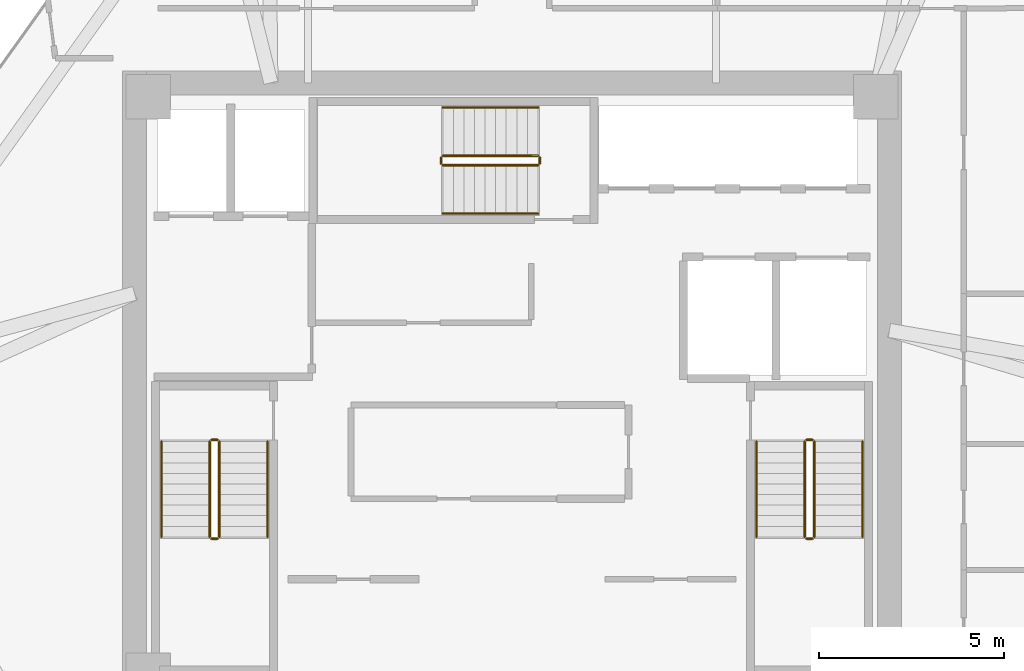
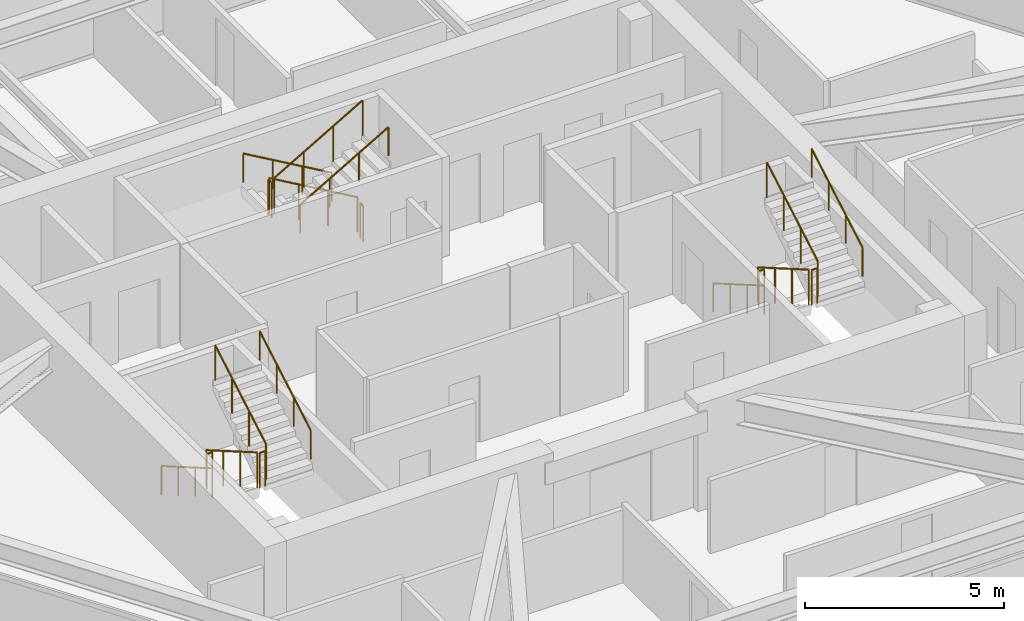
# One storey, part 11 of 11: 18 railings.
"""IFC4 building model written with IfcOpenShell, lengths in metres."""

import ifcopenshell
import ifcopenshell.guid

model = None  # the IFC model being written
_history = None  # IfcOwnerHistory: only IFC2X3 demands one
_inside = {}  # id of a spatial element -> (the spatial element, [elements in it])
_under = {}  # id of a project, library or spatial element -> (it, [spatial elements below it])
_declared = {}  # id of a project -> (the project, [libraries it declares])
_typed = {}  # id of a type object -> (the type object, [elements of that type])
_made_of = {}  # id of a material, layer set ... -> (it, [elements and type objects made of it])


def new_model(schema):
    """Start an empty IFC model of exactly this schema.

    Asked for "IFC4X3", IfcOpenShell would pick the latest addendum, in which some entities
    have other attributes; the version numbers below select the first issue.
    IFC2X3 requires an IfcOwnerHistory on every rooted entity: one is made here for all.
    """
    global model, _history
    if schema == "IFC4X3":
        model = ifcopenshell.file(schema_version=(4, 3, 0, 0))
    else:
        model = ifcopenshell.file(schema=schema)
    _inside.clear()
    _under.clear()
    _declared.clear()
    _typed.clear()
    _made_of.clear()
    _history = None
    if model.schema == "IFC2X3":
        org = make("IfcOrganization", Name="unknown")
        user = make(
            "IfcPersonAndOrganization",
            ThePerson=make("IfcPerson", FamilyName="unknown"),
            TheOrganization=org,
        )
        app = make(
            "IfcApplication",
            ApplicationDeveloper=org,
            Version="unknown",
            ApplicationFullName="unknown",
            ApplicationIdentifier="unknown",
        )
        _history = make(
            "IfcOwnerHistory",
            OwningUser=user,
            OwningApplication=app,
            ChangeAction="ADDED",
            CreationDate=0,
        )
    return model


def make(cls, **values):
    """One entity of the class cls with the attributes given. An attribute that is None is left unset."""
    return model.create_entity(
        cls, **{name: value for name, value in values.items() if value is not None}
    )


def rooted(cls, **values):
    """An entity with a GlobalId (a new one), such as an element, a storey or a relation."""
    return make(cls, GlobalId=ifcopenshell.guid.new(), OwnerHistory=_history, **values)


def si_unit(unit_type, name, prefix=None):
    """IfcSIUnit, for example si_unit("LENGTHUNIT", "METRE", prefix="MILLI")."""
    return make("IfcSIUnit", UnitType=unit_type, Prefix=prefix, Name=name)


def assignment(units):
    """IfcUnitAssignment: the units of a project."""
    return None if units is None else make("IfcUnitAssignment", Units=units)


def point(xyz):
    """IfcCartesianPoint."""
    return None if xyz is None else make("IfcCartesianPoint", Coordinates=xyz)


def direction(xyz):
    """IfcDirection."""
    return None if xyz is None else make("IfcDirection", DirectionRatios=xyz)


def frame(location, z_axis=None, x_axis=None):
    """IfcAxis2Placement3D, a coordinate frame: its origin and axes. An axis left out is left unset."""
    return make(
        "IfcAxis2Placement3D",
        Location=point(location),
        Axis=direction(z_axis),
        RefDirection=direction(x_axis),
    )


def frame_2d(location, x_axis=None):
    """IfcAxis2Placement2D, a coordinate frame in the plane: its origin and x axis."""
    return make(
        "IfcAxis2Placement2D", Location=point(location), RefDirection=direction(x_axis)
    )


def origin():
    """The frame at (0, 0, 0) with its axes left unset."""
    return frame((0.0, 0.0, 0.0))


def origin_2d():
    """The frame at (0, 0) in the plane with its x axis left unset."""
    return frame_2d((0.0, 0.0))


def place(relative_to, where):
    """IfcLocalPlacement: puts the frame where relative to a parent placement (None: the world)."""
    return make(
        "IfcLocalPlacement", PlacementRelTo=relative_to, RelativePlacement=where
    )


def context(
    kind, dimensions, precision=None, world=None, true_north=None, identifier=None
):
    """IfcGeometricRepresentationContext, for example the 3D "Model" context."""
    return make(
        "IfcGeometricRepresentationContext",
        ContextIdentifier=identifier,
        ContextType=kind,
        CoordinateSpaceDimension=dimensions,
        Precision=precision,
        WorldCoordinateSystem=world,
        TrueNorth=true_north,
    )


def subcontext(parent, identifier, kind, view, scale=None):
    """IfcGeometricRepresentationSubContext, for example "Body" below "Model"."""
    return make(
        "IfcGeometricRepresentationSubContext",
        ContextIdentifier=identifier,
        ContextType=kind,
        ParentContext=parent,
        TargetScale=scale,
        TargetView=view,
    )


def project(units=None, contexts=None):
    """IfcProject with its units and contexts."""
    return rooted(
        "IfcProject",
        Name="project",
        RepresentationContexts=contexts,
        UnitsInContext=assignment(units),
    )


def spatial(cls, under=None, at=None, **own):
    """A site, building, storey or space (cls), placed at a placement, below another one or the project."""
    s = rooted(cls, ObjectPlacement=at, **own)
    if under is not None:
        _under.setdefault(under.id(), (under, []))[1].append(s)
    return s


def profile(cls, at=None, kind="AREA", **sizes):
    """A parametric profile (cls). Its sizes go by their IFC names, for example OverallWidth=200.0."""
    return make(cls, ProfileType=kind, Position=at, **sizes)


def circle(**sizes):
    """IfcCircleProfileDef."""
    return profile("IfcCircleProfileDef", **sizes)


def extrude(swept, where, along, depth):
    """IfcExtrudedAreaSolid: the profile swept, set in the frame where, extruded along a direction by depth."""
    return make(
        "IfcExtrudedAreaSolid",
        SweptArea=swept,
        Position=where,
        ExtrudedDirection=direction(along),
        Depth=depth,
    )


def shape(context_of_items, identifier, shape_type, items):
    """IfcShapeRepresentation: the items that make up one representation, for example the "Body"."""
    return make(
        "IfcShapeRepresentation",
        ContextOfItems=context_of_items,
        RepresentationIdentifier=identifier,
        RepresentationType=shape_type,
        Items=items,
    )


def material(Name=None, Category=None):
    """IfcMaterial."""
    return make("IfcMaterial", Name=Name, Category=Category)


def made_of(thing, what):
    """Note that an element or type object is made of a material, layer set ...; save() writes the relation."""
    if what is not None:
        _made_of.setdefault(what.id(), (what, []))[1].append(thing)
    return thing


def type_object(cls, material=None, **own):
    """A type object (cls), such as IfcWallType, which elements share."""
    return made_of(rooted(cls, **own), material)


def element(
    cls,
    number,
    at=None,
    inside=None,
    cuts=None,
    type_object=None,
    material=None,
    context=None,
    identifier="Body",
    shape_type=None,
    held_by="IfcProductDefinitionShape",
    body=None,
    shapes=None,
    **own,
):
    """One element of the class cls, such as IfcWall. Its Tag is "e" and its number.

    at: its placement. inside: the storey or other place that contains it. cuts: it is an
    opening in that element (IfcRelVoidsElement). A single representation is given by context,
    identifier, shape_type and body (its items); several are given by shapes. held_by: the class
    of the entity that holds the representations. save() writes the other relations.
    """
    e = rooted(cls, Tag="e%d" % number, ObjectPlacement=at, **own)
    if body is not None:
        shapes = [shape(context, identifier, shape_type, body)]
    if shapes is not None:
        e.Representation = make(held_by, Representations=shapes)
    if inside is not None:
        _inside.setdefault(inside.id(), (inside, []))[1].append(e)
    if cuts is not None:
        rooted(
            "IfcRelVoidsElement", RelatingBuildingElement=cuts, RelatedOpeningElement=e
        )
    if type_object is not None:
        _typed.setdefault(type_object.id(), (type_object, []))[1].append(e)
    return made_of(e, material)


def aggregate(whole, parts):
    """IfcRelAggregates: a whole, such as a stair, and the parts it consists of."""
    return rooted("IfcRelAggregates", RelatingObject=whole, RelatedObjects=parts)


def save(model, path):
    """Write the relations noted so far, then the file.

    IfcRelAggregates (storeys below a building ...), IfcRelContainedInSpatialStructure (elements
    in a storey), IfcRelDefinesByType, IfcRelAssociatesMaterial and IfcRelDeclares: one each for
    every whole, place, type object, material and project.
    """
    for whole, parts in _under.values():
        aggregate(whole, parts)
    for where, things in _inside.values():
        rooted(
            "IfcRelContainedInSpatialStructure",
            RelatedElements=things,
            RelatingStructure=where,
        )
    for kind, things in _typed.values():
        rooted("IfcRelDefinesByType", RelatedObjects=things, RelatingType=kind)
    for what, things in _made_of.values():
        rooted("IfcRelAssociatesMaterial", RelatedObjects=things, RelatingMaterial=what)
    for by, libraries in _declared.values():
        rooted("IfcRelDeclares", RelatingContext=by, RelatedDefinitions=libraries)
    model.write(path)


model = new_model("IFC4")

# Units and contexts
model_context = context("Model", 3, precision=1e-05, world=origin(), true_north=direction((0.0, 1.0)))
body_context = subcontext(model_context, "Body", "Model", "MODEL_VIEW")
ifc_project = project(units=[si_unit("LENGTHUNIT", "METRE"), si_unit("AREAUNIT", "SQUARE_METRE"), si_unit("VOLUMEUNIT", "CUBIC_METRE"), si_unit("PLANEANGLEUNIT", "RADIAN"), si_unit("MASSUNIT", "GRAM", prefix="KILO")], contexts=[model_context])

# Site, building, storey
site_placement = place(None, origin())
site = spatial("IfcSite", under=ifc_project, at=site_placement, CompositionType="ELEMENT")
building_placement = place(site_placement, origin())
building = spatial("IfcBuilding", under=site, at=building_placement, Name="Durnholm Broadcast Tower", CompositionType="ELEMENT")
storey_placement = place(building_placement, frame((0.0, 0.0, 196.89990234375)))
storey = spatial("IfcBuildingStorey", under=building, at=storey_placement, Name="L54", CompositionType="ELEMENT", Elevation=196.89990234375)

# Railings
ifc_material_1 = material(Name="Painted Tubular Steel Stair Guardrail", Category="steel")
railing_type_1 = type_object("IfcRailingType", Name="RAIL-ST-GRD", PredefinedType="GUARDRAIL", material=ifc_material_1)
railing_1_placement = place(storey_placement, frame((-8.14990234375, -1.5, 0.1650390625)))
element("IfcRailing", 1, at=railing_1_placement, inside=storey, type_object=railing_type_1, Name="L54 ST-1 stair guard 1", PredefinedType="GUARDRAIL", context=body_context, shape_type="SweptSolid", body=[
    extrude(circle(Radius=0.02392578125, at=origin_2d()), frame((0.0, 0.0, 1.076171875), z_axis=(0.0, -0.865405606168, 0.501071987656), x_axis=(1.0, 0.0, 0.0)), (0.0, 0.0, 1.0), 2.9638671875),
    extrude(circle(Radius=0.02099609375, at=origin_2d()), origin(), (0.0, 0.0, 1.0), 1.052001953125),
    extrude(circle(Radius=0.02099609375, at=origin_2d()), frame((0.0, -0.85498046875, 0.4951171875)), (0.0, 0.0, 1.0), 1.052001953125),
    extrude(circle(Radius=0.02099609375, at=origin_2d()), frame((0.0, -1.7099609375, 0.989990234375)), (0.0, 0.0, 1.0), 1.052001953125),
    extrude(circle(Radius=0.02099609375, at=origin_2d()), frame((0.0, -2.56494140625, 1.485107421875)), (0.0, 0.0, 1.0), 1.052001953125),
])
railing_2_placement = place(storey_placement, frame((-8.10009765625, -4.114990234375, 1.650146484375)))
element("IfcRailing", 2, at=railing_2_placement, inside=storey, type_object=railing_type_1, Name="L54 ST-1 stair guard 2", PredefinedType="GUARDRAIL", context=body_context, shape_type="SweptSolid", body=[
    extrude(circle(Radius=0.02392578125, at=origin_2d()), frame((0.0, 0.0, 1.076171875), z_axis=(1.0, 0.0, 0.0), x_axis=(0.0, 1.0, 0.0)), (0.0, 0.0, 1.0), 0.16015625),
    extrude(circle(Radius=0.02099609375, at=origin_2d()), origin(), (0.0, 0.0, 1.0), 1.052001953125),
    extrude(circle(Radius=0.02099609375, at=origin_2d()), frame((0.16015625, 0.0, 0.0)), (0.0, 0.0, 1.0), 1.052001953125),
])
railing_3_placement = place(storey_placement, frame((-7.889892578125, -4.06494140625, 1.815185546875)))
element("IfcRailing", 3, at=railing_3_placement, inside=storey, type_object=railing_type_1, Name="L54 ST-1 stair guard 3", PredefinedType="GUARDRAIL", context=body_context, shape_type="SweptSolid", body=[
    extrude(circle(Radius=0.02392578125, at=origin_2d()), frame((0.0, 0.0, 1.076171875), z_axis=(0.0, 0.865441324677, 0.50101029285), x_axis=(-1.0, 0.0, 0.0)), (0.0, 0.0, 1.0), 2.963623046875),
    extrude(circle(Radius=0.02099609375, at=origin_2d()), origin(), (0.0, 0.0, 1.0), 1.052001953125),
    extrude(circle(Radius=0.02099609375, at=origin_2d()), frame((0.0, 0.85498046875, 0.494873046875)), (0.0, 0.0, 1.0), 1.052001953125),
    extrude(circle(Radius=0.02099609375, at=origin_2d()), frame((0.0, 1.7099609375, 0.989990234375)), (0.0, 0.0, 1.0), 1.052001953125),
    extrude(circle(Radius=0.02099609375, at=origin_2d()), frame((0.0, 2.56494140625, 1.48486328125)), (0.0, 0.0, 1.0), 1.052001953125),
])
railing_4_placement = place(storey_placement, frame((-8.10009765625, -1.449951171875, 0.0)))
element("IfcRailing", 4, at=railing_4_placement, inside=storey, type_object=railing_type_1, Name="L54 ST-1 stair guard 4", PredefinedType="GUARDRAIL", context=body_context, shape_type="SweptSolid", body=[
    extrude(circle(Radius=0.02392578125, at=origin_2d()), frame((0.0, 0.0, 1.076171875), z_axis=(1.0, 0.0, 0.0), x_axis=(0.0, 1.0, 0.0)), (0.0, 0.0, 1.0), 0.16015625),
    extrude(circle(Radius=0.02099609375, at=origin_2d()), origin(), (0.0, 0.0, 1.0), 1.052001953125),
    extrude(circle(Radius=0.02099609375, at=origin_2d()), frame((0.16015625, 0.0, 0.0)), (0.0, 0.0, 1.0), 1.052001953125),
])
railing_5_placement = place(storey_placement, frame((7.889892578125, -1.5, 0.1650390625)))
element("IfcRailing", 5, at=railing_5_placement, inside=storey, type_object=railing_type_1, Name="L54 ST-2 stair guard 1", PredefinedType="GUARDRAIL", context=body_context, shape_type="SweptSolid", body=[
    extrude(circle(Radius=0.02392578125, at=origin_2d()), frame((0.0, 0.0, 1.076171875), z_axis=(0.0, -0.865405606168, 0.501071987656), x_axis=(1.0, 0.0, 0.0)), (0.0, 0.0, 1.0), 2.9638671875),
    extrude(circle(Radius=0.02099609375, at=origin_2d()), origin(), (0.0, 0.0, 1.0), 1.052001953125),
    extrude(circle(Radius=0.02099609375, at=origin_2d()), frame((0.0, -0.85498046875, 0.4951171875)), (0.0, 0.0, 1.0), 1.052001953125),
    extrude(circle(Radius=0.02099609375, at=origin_2d()), frame((0.0, -1.7099609375, 0.989990234375)), (0.0, 0.0, 1.0), 1.052001953125),
    extrude(circle(Radius=0.02099609375, at=origin_2d()), frame((0.0, -2.56494140625, 1.485107421875)), (0.0, 0.0, 1.0), 1.052001953125),
])
railing_6_placement = place(storey_placement, frame((7.93994140625, -4.114990234375, 1.650146484375)))
element("IfcRailing", 6, at=railing_6_placement, inside=storey, type_object=railing_type_1, Name="L54 ST-2 stair guard 2", PredefinedType="GUARDRAIL", context=body_context, shape_type="SweptSolid", body=[
    extrude(circle(Radius=0.02392578125, at=origin_2d()), frame((0.0, 0.0, 1.076171875), z_axis=(1.0, 0.0, 0.0), x_axis=(0.0, 1.0, 0.0)), (0.0, 0.0, 1.0), 0.16015625),
    extrude(circle(Radius=0.02099609375, at=origin_2d()), origin(), (0.0, 0.0, 1.0), 1.052001953125),
    extrude(circle(Radius=0.02099609375, at=origin_2d()), frame((0.16015625, 0.0, 0.0)), (0.0, 0.0, 1.0), 1.052001953125),
])
railing_7_placement = place(storey_placement, frame((8.14990234375, -4.06494140625, 1.815185546875)))
element("IfcRailing", 7, at=railing_7_placement, inside=storey, type_object=railing_type_1, Name="L54 ST-2 stair guard 3", PredefinedType="GUARDRAIL", context=body_context, shape_type="SweptSolid", body=[
    extrude(circle(Radius=0.02392578125, at=origin_2d()), frame((0.0, 0.0, 1.076171875), z_axis=(0.0, 0.865441324677, 0.50101029285), x_axis=(-1.0, 0.0, 0.0)), (0.0, 0.0, 1.0), 2.963623046875),
    extrude(circle(Radius=0.02099609375, at=origin_2d()), origin(), (0.0, 0.0, 1.0), 1.052001953125),
    extrude(circle(Radius=0.02099609375, at=origin_2d()), frame((0.0, 0.85498046875, 0.494873046875)), (0.0, 0.0, 1.0), 1.052001953125),
    extrude(circle(Radius=0.02099609375, at=origin_2d()), frame((0.0, 1.7099609375, 0.989990234375)), (0.0, 0.0, 1.0), 1.052001953125),
    extrude(circle(Radius=0.02099609375, at=origin_2d()), frame((0.0, 2.56494140625, 1.48486328125)), (0.0, 0.0, 1.0), 1.052001953125),
])
railing_8_placement = place(storey_placement, frame((7.93994140625, -1.449951171875, 0.0)))
element("IfcRailing", 8, at=railing_8_placement, inside=storey, type_object=railing_type_1, Name="L54 ST-2 stair guard 4", PredefinedType="GUARDRAIL", context=body_context, shape_type="SweptSolid", body=[
    extrude(circle(Radius=0.02392578125, at=origin_2d()), frame((0.0, 0.0, 1.076171875), z_axis=(1.0, 0.0, 0.0), x_axis=(0.0, 1.0, 0.0)), (0.0, 0.0, 1.0), 0.16015625),
    extrude(circle(Radius=0.02099609375, at=origin_2d()), origin(), (0.0, 0.0, 1.0), 1.052001953125),
    extrude(circle(Radius=0.02099609375, at=origin_2d()), frame((0.16015625, 0.0, 0.0)), (0.0, 0.0, 1.0), 1.052001953125),
])
railing_9_placement = place(storey_placement, frame((0.699951171875, 6.2099609375, 0.1650390625)))
element("IfcRailing", 9, at=railing_9_placement, inside=storey, type_object=railing_type_1, Name="L54 ST-3 stair guard 1", PredefinedType="GUARDRAIL", context=body_context, shape_type="SweptSolid", body=[
    extrude(circle(Radius=0.02392578125, at=origin_2d()), frame((0.0, 0.0, 1.076171875), z_axis=(-0.865405606168, 0.0, 0.501071987656), x_axis=(0.0, -1.0, 0.0)), (0.0, 0.0, 1.0), 2.9638671875),
    extrude(circle(Radius=0.02099609375, at=origin_2d()), origin(), (0.0, 0.0, 1.0), 1.052001953125),
    extrude(circle(Radius=0.02099609375, at=origin_2d()), frame((-0.85498046875, 0.0, 0.4951171875)), (0.0, 0.0, 1.0), 1.052001953125),
    extrude(circle(Radius=0.02099609375, at=origin_2d()), frame((-1.7099609375, 0.0, 0.989990234375)), (0.0, 0.0, 1.0), 1.052001953125),
    extrude(circle(Radius=0.02099609375, at=origin_2d()), frame((-2.56494140625, 0.0, 1.485107421875)), (0.0, 0.0, 1.0), 1.052001953125),
])
railing_10_placement = place(storey_placement, frame((-1.9150390625, 6.159912109375, 1.650146484375)))
element("IfcRailing", 10, at=railing_10_placement, inside=storey, type_object=railing_type_1, Name="L54 ST-3 stair guard 2", PredefinedType="GUARDRAIL", context=body_context, shape_type="SweptSolid", body=[
    extrude(circle(Radius=0.02392578125, at=origin_2d()), frame((0.0, 0.0, 1.076171875), z_axis=(0.0, -1.0, 0.0), x_axis=(1.0, 0.0, 0.0)), (0.0, 0.0, 1.0), 0.159912109375),
    extrude(circle(Radius=0.02099609375, at=origin_2d()), origin(), (0.0, 0.0, 1.0), 1.052001953125),
    extrude(circle(Radius=0.02099609375, at=origin_2d()), frame((0.0, -0.159912109375, 0.0)), (0.0, 0.0, 1.0), 1.052001953125),
])
railing_11_placement = place(storey_placement, frame((-1.864990234375, 5.949951171875, 1.815185546875)))
element("IfcRailing", 11, at=railing_11_placement, inside=storey, type_object=railing_type_1, Name="L54 ST-3 stair guard 3", PredefinedType="GUARDRAIL", context=body_context, shape_type="SweptSolid", body=[
    extrude(circle(Radius=0.02392578125, at=origin_2d()), frame((0.0, 0.0, 1.076171875), z_axis=(0.865441324677, 0.0, 0.50101029285), x_axis=(0.0, 1.0, 0.0)), (0.0, 0.0, 1.0), 2.963623046875),
    extrude(circle(Radius=0.02099609375, at=origin_2d()), origin(), (0.0, 0.0, 1.0), 1.052001953125),
    extrude(circle(Radius=0.02099609375, at=origin_2d()), frame((0.85498046875, 0.0, 0.494873046875)), (0.0, 0.0, 1.0), 1.052001953125),
    extrude(circle(Radius=0.02099609375, at=origin_2d()), frame((1.7099609375, 0.0, 0.989990234375)), (0.0, 0.0, 1.0), 1.052001953125),
    extrude(circle(Radius=0.02099609375, at=origin_2d()), frame((2.56494140625, 0.0, 1.48486328125)), (0.0, 0.0, 1.0), 1.052001953125),
])
railing_12_placement = place(storey_placement, frame((0.75, 6.159912109375, 0.0)))
element("IfcRailing", 12, at=railing_12_placement, inside=storey, type_object=railing_type_1, Name="L54 ST-3 stair guard 4", PredefinedType="GUARDRAIL", context=body_context, shape_type="SweptSolid", body=[
    extrude(circle(Radius=0.02392578125, at=origin_2d()), frame((0.0, 0.0, 1.076171875), z_axis=(0.0, -1.0, 0.0), x_axis=(1.0, 0.0, 0.0)), (0.0, 0.0, 1.0), 0.159912109375),
    extrude(circle(Radius=0.02099609375, at=origin_2d()), origin(), (0.0, 0.0, 1.0), 1.052001953125),
    extrude(circle(Radius=0.02099609375, at=origin_2d()), frame((0.0, -0.159912109375, 0.0)), (0.0, 0.0, 1.0), 1.052001953125),
])
ifc_material_2 = material(Name="Brushed Stainless Steel Handrail", Category="steel")
railing_type_2 = type_object("IfcRailingType", Name="RAIL-ST-HND", PredefinedType="HANDRAIL", material=ifc_material_2)
railing_13_placement = place(storey_placement, frame((-9.449951171875, -1.5, 0.330078125)))
element("IfcRailing", 13, at=railing_13_placement, inside=storey, type_object=railing_type_2, Name="L54 ST-1 stair handrail 1", PredefinedType="HANDRAIL", context=body_context, shape_type="SweptSolid", body=[
    extrude(circle(Radius=0.02392578125, at=origin_2d()), frame((0.0, 0.0, 0.8759765625), z_axis=(0.0, -0.865405606168, 0.501071987656), x_axis=(1.0, 0.0, 0.0)), (0.0, 0.0, 1.0), 2.9638671875),
    extrude(circle(Radius=0.02099609375, at=origin_2d()), origin(), (0.0, 0.0, 1.0), 0.851806640625),
    extrude(circle(Radius=0.02099609375, at=origin_2d()), frame((0.0, -0.85498046875, 0.4951171875)), (0.0, 0.0, 1.0), 0.851806640625),
    extrude(circle(Radius=0.02099609375, at=origin_2d()), frame((0.0, -1.7099609375, 0.989990234375)), (0.0, 0.0, 1.0), 0.851806640625),
    extrude(circle(Radius=0.02099609375, at=origin_2d()), frame((0.0, -2.56494140625, 1.485107421875)), (0.0, 0.0, 1.0), 0.851806640625),
])
railing_14_placement = place(storey_placement, frame((-6.590087890625, -4.06494140625, 1.97998046875)))
element("IfcRailing", 14, at=railing_14_placement, inside=storey, type_object=railing_type_2, Name="L54 ST-1 stair handrail 2", PredefinedType="HANDRAIL", context=body_context, shape_type="SweptSolid", body=[
    extrude(circle(Radius=0.02392578125, at=origin_2d()), frame((0.0, 0.0, 0.8759765625), z_axis=(0.0, 0.865405606168, 0.501071987656), x_axis=(-1.0, 0.0, 0.0)), (0.0, 0.0, 1.0), 2.9638671875),
    extrude(circle(Radius=0.02099609375, at=origin_2d()), origin(), (0.0, 0.0, 1.0), 0.851806640625),
    extrude(circle(Radius=0.02099609375, at=origin_2d()), frame((0.0, 0.85498046875, 0.4951171875)), (0.0, 0.0, 1.0), 0.851806640625),
    extrude(circle(Radius=0.02099609375, at=origin_2d()), frame((0.0, 1.7099609375, 0.989990234375)), (0.0, 0.0, 1.0), 0.851806640625),
    extrude(circle(Radius=0.02099609375, at=origin_2d()), frame((0.0, 2.56494140625, 1.485107421875)), (0.0, 0.0, 1.0), 0.851806640625),
])
railing_15_placement = place(storey_placement, frame((6.590087890625, -1.5, 0.330078125)))
element("IfcRailing", 15, at=railing_15_placement, inside=storey, type_object=railing_type_2, Name="L54 ST-2 stair handrail 1", PredefinedType="HANDRAIL", context=body_context, shape_type="SweptSolid", body=[
    extrude(circle(Radius=0.02392578125, at=origin_2d()), frame((0.0, 0.0, 0.8759765625), z_axis=(0.0, -0.865405606168, 0.501071987656), x_axis=(1.0, 0.0, 0.0)), (0.0, 0.0, 1.0), 2.9638671875),
    extrude(circle(Radius=0.02099609375, at=origin_2d()), origin(), (0.0, 0.0, 1.0), 0.851806640625),
    extrude(circle(Radius=0.02099609375, at=origin_2d()), frame((0.0, -0.85498046875, 0.4951171875)), (0.0, 0.0, 1.0), 0.851806640625),
    extrude(circle(Radius=0.02099609375, at=origin_2d()), frame((0.0, -1.7099609375, 0.989990234375)), (0.0, 0.0, 1.0), 0.851806640625),
    extrude(circle(Radius=0.02099609375, at=origin_2d()), frame((0.0, -2.56494140625, 1.485107421875)), (0.0, 0.0, 1.0), 0.851806640625),
])
railing_16_placement = place(storey_placement, frame((9.449951171875, -4.06494140625, 1.97998046875)))
element("IfcRailing", 16, at=railing_16_placement, inside=storey, type_object=railing_type_2, Name="L54 ST-2 stair handrail 2", PredefinedType="HANDRAIL", context=body_context, shape_type="SweptSolid", body=[
    extrude(circle(Radius=0.02392578125, at=origin_2d()), frame((0.0, 0.0, 0.8759765625), z_axis=(0.0, 0.865405606168, 0.501071987656), x_axis=(-1.0, 0.0, 0.0)), (0.0, 0.0, 1.0), 2.9638671875),
    extrude(circle(Radius=0.02099609375, at=origin_2d()), origin(), (0.0, 0.0, 1.0), 0.851806640625),
    extrude(circle(Radius=0.02099609375, at=origin_2d()), frame((0.0, 0.85498046875, 0.4951171875)), (0.0, 0.0, 1.0), 0.851806640625),
    extrude(circle(Radius=0.02099609375, at=origin_2d()), frame((0.0, 1.7099609375, 0.989990234375)), (0.0, 0.0, 1.0), 0.851806640625),
    extrude(circle(Radius=0.02099609375, at=origin_2d()), frame((0.0, 2.56494140625, 1.485107421875)), (0.0, 0.0, 1.0), 0.851806640625),
])
railing_17_placement = place(storey_placement, frame((0.699951171875, 7.510009765625, 0.330078125)))
element("IfcRailing", 17, at=railing_17_placement, inside=storey, type_object=railing_type_2, Name="L54 ST-3 stair handrail 1", PredefinedType="HANDRAIL", context=body_context, shape_type="SweptSolid", body=[
    extrude(circle(Radius=0.02392578125, at=origin_2d()), frame((0.0, 0.0, 0.8759765625), z_axis=(-0.865405606168, 0.0, 0.501071987656), x_axis=(0.0, -1.0, 0.0)), (0.0, 0.0, 1.0), 2.9638671875),
    extrude(circle(Radius=0.02099609375, at=origin_2d()), origin(), (0.0, 0.0, 1.0), 0.851806640625),
    extrude(circle(Radius=0.02099609375, at=origin_2d()), frame((-0.85498046875, 0.0, 0.4951171875)), (0.0, 0.0, 1.0), 0.851806640625),
    extrude(circle(Radius=0.02099609375, at=origin_2d()), frame((-1.7099609375, 0.0, 0.989990234375)), (0.0, 0.0, 1.0), 0.851806640625),
    extrude(circle(Radius=0.02099609375, at=origin_2d()), frame((-2.56494140625, 0.0, 1.485107421875)), (0.0, 0.0, 1.0), 0.851806640625),
])
railing_18_placement = place(storey_placement, frame((-1.864990234375, 4.64990234375, 1.97998046875)))
element("IfcRailing", 18, at=railing_18_placement, inside=storey, type_object=railing_type_2, Name="L54 ST-3 stair handrail 2", PredefinedType="HANDRAIL", context=body_context, shape_type="SweptSolid", body=[
    extrude(circle(Radius=0.02392578125, at=origin_2d()), frame((0.0, 0.0, 0.8759765625), z_axis=(0.865405606168, 0.0, 0.501071987656), x_axis=(0.0, 1.0, 0.0)), (0.0, 0.0, 1.0), 2.9638671875),
    extrude(circle(Radius=0.02099609375, at=origin_2d()), origin(), (0.0, 0.0, 1.0), 0.851806640625),
    extrude(circle(Radius=0.02099609375, at=origin_2d()), frame((0.85498046875, 0.0, 0.4951171875)), (0.0, 0.0, 1.0), 0.851806640625),
    extrude(circle(Radius=0.02099609375, at=origin_2d()), frame((1.7099609375, 0.0, 0.989990234375)), (0.0, 0.0, 1.0), 0.851806640625),
    extrude(circle(Radius=0.02099609375, at=origin_2d()), frame((2.56494140625, 0.0, 1.485107421875)), (0.0, 0.0, 1.0), 0.851806640625),
])

save(model, "model.ifc")
